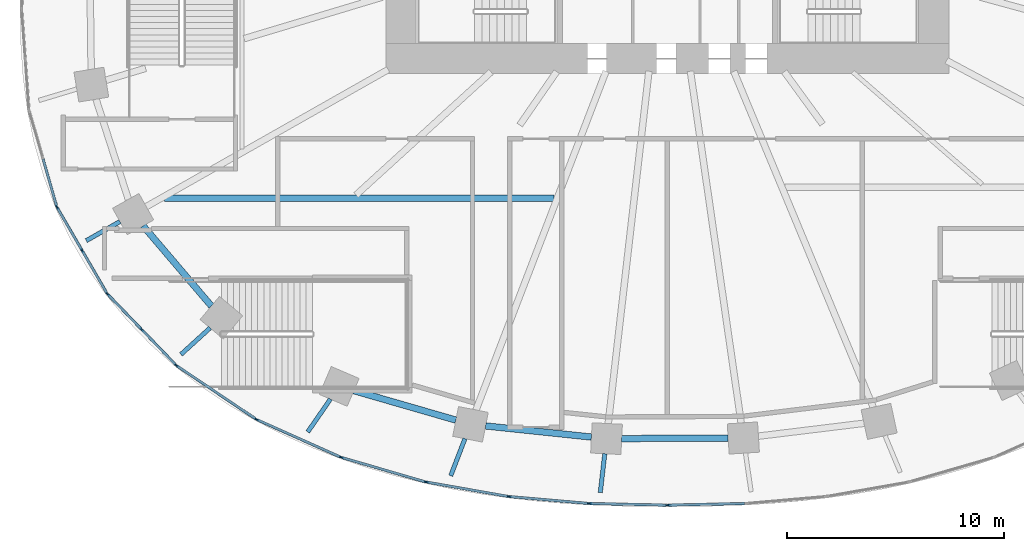
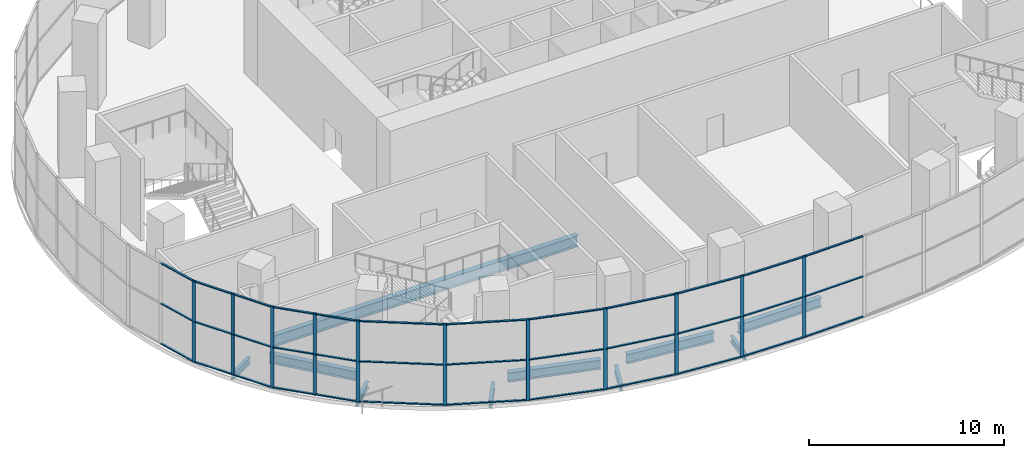
# One storey, part 2 of 20: 47 members, 10 beams, 10 elements without a shape of their own.
"""IFC4 building model written with IfcOpenShell, lengths in metres."""

from ifc_helpers import new_model, si_unit, direction, frame, origin, origin_2d, place, context, subcontext, project, spatial, rectangle, i_section, extrude, material, material_profile, profile_set, type_object, element, aggregate, save


model = new_model("IFC4")

# Units and contexts
model_context = context("Model", 3, precision=1e-05, world=origin(), true_north=direction((0.0, 1.0)))
body_context = subcontext(model_context, "Body", "Model", "MODEL_VIEW")
ifc_project = project(units=[si_unit("LENGTHUNIT", "METRE"), si_unit("AREAUNIT", "SQUARE_METRE"), si_unit("VOLUMEUNIT", "CUBIC_METRE"), si_unit("PLANEANGLEUNIT", "RADIAN"), si_unit("MASSUNIT", "GRAM", prefix="KILO")], contexts=[model_context])

# Site, building, storey
site_placement = place(None, origin())
site = spatial("IfcSite", under=ifc_project, at=site_placement, CompositionType="ELEMENT")
building_placement = place(site_placement, origin())
building = spatial("IfcBuilding", under=site, at=building_placement, Name="Rubra Terraces Tower", CompositionType="ELEMENT")
storey_placement = place(building_placement, frame((0.0, 0.0, 22.800048828125)))
storey = spatial("IfcBuildingStorey", under=building, at=storey_placement, Name="L03", CompositionType="ELEMENT", Elevation=22.800048828125)

# Beams
ifc_material_1 = material(Name="Steel Q355B", Category="steel")
ifc_material_profile_1 = material_profile(ifc_material_1, i_section(OverallWidth=0.199951171875, OverallDepth=0.39990234375, WebThickness=0.008056640625, FlangeThickness=0.012939453125, at=origin_2d()), Name="HN 400x200x8x13")
ifc_profile_set_1 = profile_set([ifc_material_profile_1], Name="Steel Q355B")
beam_type_1 = type_object("IfcBeamType", Name="CANTILEVER BEAM HN 400x200x8x13", PredefinedType="BEAM", material=ifc_profile_set_1)
beam_1_placement = place(storey_placement, frame((-25.284912109375, -9.827880859375, -0.449951171875), z_axis=(-0.86992838688, -0.493178062873, 0.0), x_axis=(0.493178062873, -0.86992838688, 0.0)))
element("IfcBeam", 1, at=beam_1_placement, inside=storey, type_object=beam_type_1, Name="beam-L03-cant-14", PredefinedType="BEAM", context=body_context, shape_type="SweptSolid", body=[
    extrude(i_section(OverallWidth=0.199951171875, OverallDepth=0.39990234375, WebThickness=0.008056640625, FlangeThickness=0.012939453125, at=origin_2d()), origin(), (0.0, 0.0, 1.0), 1.78662109375),
])
beam_2_placement = place(storey_placement, frame((-21.1220703125, -14.741943359375, -0.449951171875), z_axis=(-0.739575224106, -0.673073909677, 0.0), x_axis=(0.673073909677, -0.739575224106, 0.0)))
element("IfcBeam", 2, at=beam_2_placement, inside=storey, type_object=beam_type_1, Name="beam-L03-cant-15", PredefinedType="BEAM", context=body_context, shape_type="SweptSolid", body=[
    extrude(i_section(OverallWidth=0.199951171875, OverallDepth=0.39990234375, WebThickness=0.008056640625, FlangeThickness=0.012939453125, at=origin_2d()), origin(), (0.0, 0.0, 1.0), 1.817138671875),
])
beam_3_placement = place(storey_placement, frame((-15.56298828125, -18.029052734375, -0.449951171875), z_axis=(-0.568402477444, -0.822750644871, 0.0), x_axis=(0.822750644871, -0.568402477444, 0.0)))
element("IfcBeam", 3, at=beam_3_placement, inside=storey, type_object=beam_type_1, Name="beam-L03-cant-16", PredefinedType="BEAM", context=body_context, shape_type="SweptSolid", body=[
    extrude(i_section(OverallWidth=0.199951171875, OverallDepth=0.39990234375, WebThickness=0.008056640625, FlangeThickness=0.012939453125, at=origin_2d()), origin(), (0.0, 0.0, 1.0), 1.840087890625),
])
beam_4_placement = place(storey_placement, frame((-9.34912109375, -19.85498046875, -0.449951171875), z_axis=(-0.358291983639, -0.93360958353, 0.0), x_axis=(0.93360958353, -0.358291983639, 0.0)))
element("IfcBeam", 4, at=beam_4_placement, inside=storey, type_object=beam_type_1, Name="beam-L03-cant-17", PredefinedType="BEAM", context=body_context, shape_type="SweptSolid", body=[
    extrude(i_section(OverallWidth=0.199951171875, OverallDepth=0.39990234375, WebThickness=0.008056640625, FlangeThickness=0.012939453125, at=origin_2d()), origin(), (0.0, 0.0, 1.0), 1.833740234375),
])
beam_5_placement = place(storey_placement, frame((-2.89111328125, -20.551025390625, -0.449951171875), z_axis=(-0.114572764889, -0.99341485873, 0.0), x_axis=(0.99341485873, -0.114572764889, 0.0)))
element("IfcBeam", 5, at=beam_5_placement, inside=storey, type_object=beam_type_1, Name="beam-L03-cant-18", PredefinedType="BEAM", context=body_context, shape_type="SweptSolid", body=[
    extrude(i_section(OverallWidth=0.199951171875, OverallDepth=0.39990234375, WebThickness=0.008056640625, FlangeThickness=0.012939453125, at=origin_2d()), origin(), (0.0, 0.0, 1.0), 1.804931640625),
])

# Curtain wall, members
ifc_material_2 = material(Name="Aluminium and glass", Category="aluminium")
curtain_wall_type = type_object("IfcCurtainWallType", Name="Curtain wall Podium glazing", PredefinedType="NOTDEFINED", material=ifc_material_2)
curtain_wall_1_placement = place(storey_placement, origin())
curtain_wall_1 = element("IfcCurtainWall", 6, at=curtain_wall_1_placement, inside=storey, type_object=curtain_wall_type, Name="L03 glazing bay 23", PredefinedType="NOTDEFINED")
ifc_material_3 = material(Name="Aluminium, anodised dark grey", Category="aluminium")
ifc_material_profile_2 = material_profile(ifc_material_3, rectangle(XDim=0.06005859375, YDim=0.199951171875, at=origin_2d()), Name="AL 60x200")
ifc_profile_set_2 = profile_set([ifc_material_profile_2], Name="Aluminium, anodised dark grey")
member_type_1 = type_object("IfcMemberType", Name="Podium glazing mullion 60 x 200", PredefinedType="MULLION", material=ifc_profile_set_2)
member_1_placement = place(storey_placement, frame((-28.18798828125, -9.17333984375, 0.0), z_axis=(0.0, 0.0, 1.0), x_axis=(0.864813011398, 0.502094070187, 0.0)))
member_1 = element("IfcMember", 7, at=member_1_placement, type_object=member_type_1, Name="CW1 mullion 1", PredefinedType="MULLION", context=body_context, shape_type="SweptSolid", body=[
    extrude(rectangle(XDim=0.06005859375, YDim=0.199951171875, at=origin_2d()), origin(), (0.0, 0.0, 1.0), 5.14990234375),
])
member_2_placement = place(storey_placement, frame((-27.0341796875, -11.160888671875, 0.0), z_axis=(0.0, 0.0, 1.0), x_axis=(0.864813011398, 0.502094070187, 0.0)))
member_2 = element("IfcMember", 8, at=member_2_placement, type_object=member_type_1, Name="CW1 mullion 2", PredefinedType="MULLION", context=body_context, shape_type="SweptSolid", body=[
    extrude(rectangle(XDim=0.06005859375, YDim=0.199951171875, at=origin_2d()), origin(), (0.0, 0.0, 1.0), 5.14990234375),
])

curtain_wall_2_placement = place(storey_placement, origin())
curtain_wall_2 = element("IfcCurtainWall", 9, at=curtain_wall_2_placement, inside=storey, type_object=curtain_wall_type, Name="L03 glazing bay 24", PredefinedType="NOTDEFINED")
member_3_placement = place(storey_placement, frame((-25.855224609375, -13.181396484375, 0.0), z_axis=(0.0, 0.0, 1.0), x_axis=(0.71982488517, 0.69415569917, 0.0)))
member_3 = element("IfcMember", 10, at=member_3_placement, type_object=member_type_1, Name="CW1 mullion 1", PredefinedType="MULLION", context=body_context, shape_type="SweptSolid", body=[
    extrude(rectangle(XDim=0.06005859375, YDim=0.199951171875, at=origin_2d()), origin(), (0.0, 0.0, 1.0), 5.14990234375),
])
member_4_placement = place(storey_placement, frame((-24.280517578125, -14.814453125, 0.0), z_axis=(0.0, 0.0, 1.0), x_axis=(0.71982488517, 0.69415569917, 0.0)))
member_4 = element("IfcMember", 11, at=member_4_placement, type_object=member_type_1, Name="CW1 mullion 2", PredefinedType="MULLION", context=body_context, shape_type="SweptSolid", body=[
    extrude(rectangle(XDim=0.06005859375, YDim=0.199951171875, at=origin_2d()), origin(), (0.0, 0.0, 1.0), 5.14990234375),
])

# Curtain wall, member
curtain_wall_3_placement = place(storey_placement, origin())
curtain_wall_3 = element("IfcCurtainWall", 12, at=curtain_wall_3_placement, inside=storey, type_object=curtain_wall_type, Name="L03 glazing bay 25", PredefinedType="NOTDEFINED")
member_5_placement = place(storey_placement, frame((-22.672119140625, -16.4755859375, 0.0), z_axis=(0.0, 0.0, 1.0), x_axis=(0.55927727939, 0.828980654031, 0.0)))
member_5 = element("IfcMember", 13, at=member_5_placement, type_object=member_type_1, Name="CW1 mullion 1", PredefinedType="MULLION", context=body_context, shape_type="SweptSolid", body=[
    extrude(rectangle(XDim=0.06005859375, YDim=0.199951171875, at=origin_2d()), origin(), (0.0, 0.0, 1.0), 5.14990234375),
])

curtain_wall_4_placement = place(storey_placement, origin())
curtain_wall_4 = element("IfcCurtainWall", 14, at=curtain_wall_4_placement, inside=storey, type_object=curtain_wall_type, Name="L03 glazing bay 26", PredefinedType="NOTDEFINED")
member_6_placement = place(storey_placement, frame((-18.968017578125, -18.969970703125, 0.0), z_axis=(0.0, 0.0, 1.0), x_axis=(0.4089624427, 0.912551215254, 0.0)))
member_6 = element("IfcMember", 15, at=member_6_placement, type_object=member_type_1, Name="CW1 mullion 1", PredefinedType="MULLION", context=body_context, shape_type="SweptSolid", body=[
    extrude(rectangle(XDim=0.06005859375, YDim=0.199951171875, at=origin_2d()), origin(), (0.0, 0.0, 1.0), 5.14990234375),
])

curtain_wall_5_placement = place(storey_placement, origin())
curtain_wall_5 = element("IfcCurtainWall", 16, at=curtain_wall_5_placement, inside=storey, type_object=curtain_wall_type, Name="L03 glazing bay 27", PredefinedType="NOTDEFINED")
member_7_placement = place(storey_placement, frame((-15.05126953125, -20.721435546875, 0.0), z_axis=(0.0, 0.0, 1.0), x_axis=(0.279399200229, 0.96017502931, 0.0)))
member_7 = element("IfcMember", 17, at=member_7_placement, type_object=member_type_1, Name="CW1 mullion 1", PredefinedType="MULLION", context=body_context, shape_type="SweptSolid", body=[
    extrude(rectangle(XDim=0.06005859375, YDim=0.199951171875, at=origin_2d()), origin(), (0.0, 0.0, 1.0), 5.14990234375),
])

curtain_wall_6_placement = place(storey_placement, origin())
curtain_wall_6 = element("IfcCurtainWall", 18, at=curtain_wall_6_placement, inside=storey, type_object=curtain_wall_type, Name="L03 glazing bay 28", PredefinedType="NOTDEFINED")
member_8_placement = place(storey_placement, frame((-11.13037109375, -21.859375, 0.0), z_axis=(0.0, 0.0, 1.0), x_axis=(0.172816985997, 0.984953952909, 0.0)))
member_8 = element("IfcMember", 19, at=member_8_placement, type_object=member_type_1, Name="CW1 mullion 1", PredefinedType="MULLION", context=body_context, shape_type="SweptSolid", body=[
    extrude(rectangle(XDim=0.06005859375, YDim=0.199951171875, at=origin_2d()), origin(), (0.0, 0.0, 1.0), 5.14990234375),
])

curtain_wall_7_placement = place(storey_placement, origin())
curtain_wall_7 = element("IfcCurtainWall", 20, at=curtain_wall_7_placement, inside=storey, type_object=curtain_wall_type, Name="L03 glazing bay 29", PredefinedType="NOTDEFINED")
member_9_placement = place(storey_placement, frame((-7.306640625, -22.52783203125, 0.0), z_axis=(0.0, 0.0, 1.0), x_axis=(0.08639804595, 0.996260697637, 0.0)))
member_9 = element("IfcMember", 21, at=member_9_placement, type_object=member_type_1, Name="CW1 mullion 1", PredefinedType="MULLION", context=body_context, shape_type="SweptSolid", body=[
    extrude(rectangle(XDim=0.06005859375, YDim=0.199951171875, at=origin_2d()), origin(), (0.0, 0.0, 1.0), 5.14990234375),
])

curtain_wall_8_placement = place(storey_placement, origin())
curtain_wall_8 = element("IfcCurtainWall", 22, at=curtain_wall_8_placement, inside=storey, type_object=curtain_wall_type, Name="L03 glazing bay 30", PredefinedType="NOTDEFINED")
member_10_placement = place(storey_placement, frame((-3.598388671875, -22.84765625, 0.0), z_axis=(0.0, 0.0, 1.0), x_axis=(0.021482644428, 0.999769221365, 0.0)))
member_10 = element("IfcMember", 23, at=member_10_placement, type_object=member_type_1, Name="CW1 mullion 1", PredefinedType="MULLION", context=body_context, shape_type="SweptSolid", body=[
    extrude(rectangle(XDim=0.06005859375, YDim=0.199951171875, at=origin_2d()), origin(), (0.0, 0.0, 1.0), 5.14990234375),
])

curtain_wall_9_placement = place(storey_placement, origin())
curtain_wall_9 = element("IfcCurtainWall", 24, at=curtain_wall_9_placement, inside=storey, type_object=curtain_wall_type, Name="L03 glazing bay 31", PredefinedType="NOTDEFINED")
member_11_placement = place(storey_placement, frame((0.0283203125, -22.92431640625, 0.0), z_axis=(0.0, 0.0, 1.0), x_axis=(-0.021482644428, 0.999769221365, 0.0)))
member_11 = element("IfcMember", 25, at=member_11_placement, type_object=member_type_1, Name="CW1 mullion 1", PredefinedType="MULLION", context=body_context, shape_type="SweptSolid", body=[
    extrude(rectangle(XDim=0.06005859375, YDim=0.199951171875, at=origin_2d()), origin(), (0.0, 0.0, 1.0), 5.14990234375),
])

# Curtain wall, members
curtain_wall_10_placement = place(storey_placement, origin())
curtain_wall_10 = element("IfcCurtainWall", 26, at=curtain_wall_10_placement, inside=storey, type_object=curtain_wall_type, Name="L03 glazing bay 22", PredefinedType="NOTDEFINED")
ifc_material_profile_3 = material_profile(ifc_material_3, rectangle(XDim=0.1201171875, YDim=0.06005859375, at=origin_2d()), Name="AL 120x60")
ifc_profile_set_3 = profile_set([ifc_material_profile_3], Name="Aluminium, anodised dark grey")
member_type_2 = type_object("IfcMemberType", Name="Podium glazing transom 120 x 60", PredefinedType="USERDEFINED", material=ifc_profile_set_3)
member_12_placement = place(storey_placement, frame((-28.835205078125, -6.941650390625, 0.06005859375), z_axis=(0.276452561882, -0.961027565177, 0.0), x_axis=(0.961027565177, 0.276452561882, 0.0)))
member_12 = element("IfcMember", 27, at=member_12_placement, type_object=member_type_2, Name="CW1 transom 2.1", ObjectType="TRANSOM", PredefinedType="USERDEFINED", context=body_context, shape_type="SweptSolid", body=[
    extrude(rectangle(XDim=0.1201171875, YDim=0.06005859375, at=origin_2d()), origin(), (0.0, 0.0, 1.0), 2.2529296875),
])
member_13_placement = place(storey_placement, frame((-28.835205078125, -6.941650390625, 2.574951171875), z_axis=(0.276452561882, -0.961027565177, 0.0), x_axis=(0.961027565177, 0.276452561882, 0.0)))
member_13 = element("IfcMember", 28, at=member_13_placement, type_object=member_type_2, Name="CW1 transom 2.2", ObjectType="TRANSOM", PredefinedType="USERDEFINED", context=body_context, shape_type="SweptSolid", body=[
    extrude(rectangle(XDim=0.1201171875, YDim=0.06005859375, at=origin_2d()), origin(), (0.0, 0.0, 1.0), 2.2529296875),
])
member_14_placement = place(storey_placement, frame((-28.835205078125, -6.941650390625, 5.08984375), z_axis=(0.276452561882, -0.961027565177, 0.0), x_axis=(0.961027565177, 0.276452561882, 0.0)))
member_14 = element("IfcMember", 29, at=member_14_placement, type_object=member_type_2, Name="CW1 transom 2.3", ObjectType="TRANSOM", PredefinedType="USERDEFINED", context=body_context, shape_type="SweptSolid", body=[
    extrude(rectangle(XDim=0.1201171875, YDim=0.06005859375, at=origin_2d()), origin(), (0.0, 0.0, 1.0), 2.2529296875),
])
aggregate(curtain_wall_10, [member_12, member_13, member_14])

# Member
member_15_placement = place(storey_placement, frame((-28.173095703125, -9.19921875, 0.06005859375), z_axis=(0.5021881448, -0.864758386616, 0.0), x_axis=(0.864758386616, 0.5021881448, 0.0)))
member_15 = element("IfcMember", 30, at=member_15_placement, type_object=member_type_2, Name="CW1 transom 1.1", ObjectType="TRANSOM", PredefinedType="USERDEFINED", context=body_context, shape_type="SweptSolid", body=[
    extrude(rectangle(XDim=0.1201171875, YDim=0.06005859375, at=origin_2d()), origin(), (0.0, 0.0, 1.0), 2.23828125),
])

member_16_placement = place(storey_placement, frame((-28.173095703125, -9.19921875, 2.574951171875), z_axis=(0.5021881448, -0.864758386616, 0.0), x_axis=(0.864758386616, 0.5021881448, 0.0)))
member_16 = element("IfcMember", 31, at=member_16_placement, type_object=member_type_2, Name="CW1 transom 1.2", ObjectType="TRANSOM", PredefinedType="USERDEFINED", context=body_context, shape_type="SweptSolid", body=[
    extrude(rectangle(XDim=0.1201171875, YDim=0.06005859375, at=origin_2d()), origin(), (0.0, 0.0, 1.0), 2.23828125),
])

member_17_placement = place(storey_placement, frame((-28.173095703125, -9.19921875, 5.08984375), z_axis=(0.5021881448, -0.864758386616, 0.0), x_axis=(0.864758386616, 0.5021881448, 0.0)))
member_17 = element("IfcMember", 32, at=member_17_placement, type_object=member_type_2, Name="CW1 transom 1.3", ObjectType="TRANSOM", PredefinedType="USERDEFINED", context=body_context, shape_type="SweptSolid", body=[
    extrude(rectangle(XDim=0.1201171875, YDim=0.06005859375, at=origin_2d()), origin(), (0.0, 0.0, 1.0), 2.23828125),
])

member_18_placement = place(storey_placement, frame((-27.01904296875, -11.186767578125, 0.06005859375), z_axis=(0.502106569931, -0.864805754162, 0.0), x_axis=(0.864805754162, 0.502106569931, 0.0)))
member_18 = element("IfcMember", 33, at=member_18_placement, type_object=member_type_2, Name="CW1 transom 2.1", ObjectType="TRANSOM", PredefinedType="USERDEFINED", context=body_context, shape_type="SweptSolid", body=[
    extrude(rectangle(XDim=0.1201171875, YDim=0.06005859375, at=origin_2d()), origin(), (0.0, 0.0, 1.0), 2.238037109375),
])

member_19_placement = place(storey_placement, frame((-27.01904296875, -11.186767578125, 2.574951171875), z_axis=(0.502106569931, -0.864805754162, 0.0), x_axis=(0.864805754162, 0.502106569931, 0.0)))
member_19 = element("IfcMember", 34, at=member_19_placement, type_object=member_type_2, Name="CW1 transom 2.2", ObjectType="TRANSOM", PredefinedType="USERDEFINED", context=body_context, shape_type="SweptSolid", body=[
    extrude(rectangle(XDim=0.1201171875, YDim=0.06005859375, at=origin_2d()), origin(), (0.0, 0.0, 1.0), 2.238037109375),
])

member_20_placement = place(storey_placement, frame((-27.01904296875, -11.186767578125, 5.08984375), z_axis=(0.502106569931, -0.864805754162, 0.0), x_axis=(0.864805754162, 0.502106569931, 0.0)))
member_20 = element("IfcMember", 35, at=member_20_placement, type_object=member_type_2, Name="CW1 transom 2.3", ObjectType="TRANSOM", PredefinedType="USERDEFINED", context=body_context, shape_type="SweptSolid", body=[
    extrude(rectangle(XDim=0.1201171875, YDim=0.06005859375, at=origin_2d()), origin(), (0.0, 0.0, 1.0), 2.238037109375),
])

aggregate(curtain_wall_1, [member_1, member_2, member_15, member_16, member_17, member_18, member_19, member_20])

member_21_placement = place(storey_placement, frame((-25.83447265625, -13.203125, 0.06005859375), z_axis=(0.694223533913, -0.719759463266, 0.0), x_axis=(0.719759463266, 0.694223533913, 0.0)))
member_21 = element("IfcMember", 36, at=member_21_placement, type_object=member_type_2, Name="CW1 transom 1.1", ObjectType="TRANSOM", PredefinedType="USERDEFINED", context=body_context, shape_type="SweptSolid", body=[
    extrude(rectangle(XDim=0.1201171875, YDim=0.06005859375, at=origin_2d()), origin(), (0.0, 0.0, 1.0), 2.20849609375),
])

member_22_placement = place(storey_placement, frame((-25.83447265625, -13.203125, 2.574951171875), z_axis=(0.694223533913, -0.719759463266, 0.0), x_axis=(0.719759463266, 0.694223533913, 0.0)))
member_22 = element("IfcMember", 37, at=member_22_placement, type_object=member_type_2, Name="CW1 transom 1.2", ObjectType="TRANSOM", PredefinedType="USERDEFINED", context=body_context, shape_type="SweptSolid", body=[
    extrude(rectangle(XDim=0.1201171875, YDim=0.06005859375, at=origin_2d()), origin(), (0.0, 0.0, 1.0), 2.20849609375),
])

member_23_placement = place(storey_placement, frame((-25.83447265625, -13.203125, 5.08984375), z_axis=(0.694223533913, -0.719759463266, 0.0), x_axis=(0.719759463266, 0.694223533913, 0.0)))
member_23 = element("IfcMember", 38, at=member_23_placement, type_object=member_type_2, Name="CW1 transom 1.3", ObjectType="TRANSOM", PredefinedType="USERDEFINED", context=body_context, shape_type="SweptSolid", body=[
    extrude(rectangle(XDim=0.1201171875, YDim=0.06005859375, at=origin_2d()), origin(), (0.0, 0.0, 1.0), 2.20849609375),
])

member_24_placement = place(storey_placement, frame((-24.259765625, -14.8359375, 0.06005859375), z_axis=(0.694168299732, -0.719812733735, 0.0), x_axis=(0.719812733735, 0.694168299732, 0.0)))
member_24 = element("IfcMember", 39, at=member_24_placement, type_object=member_type_2, Name="CW1 transom 2.1", ObjectType="TRANSOM", PredefinedType="USERDEFINED", context=body_context, shape_type="SweptSolid", body=[
    extrude(rectangle(XDim=0.1201171875, YDim=0.06005859375, at=origin_2d()), origin(), (0.0, 0.0, 1.0), 2.208740234375),
])

member_25_placement = place(storey_placement, frame((-24.259765625, -14.8359375, 2.574951171875), z_axis=(0.694168299732, -0.719812733735, 0.0), x_axis=(0.719812733735, 0.694168299732, 0.0)))
member_25 = element("IfcMember", 40, at=member_25_placement, type_object=member_type_2, Name="CW1 transom 2.2", ObjectType="TRANSOM", PredefinedType="USERDEFINED", context=body_context, shape_type="SweptSolid", body=[
    extrude(rectangle(XDim=0.1201171875, YDim=0.06005859375, at=origin_2d()), origin(), (0.0, 0.0, 1.0), 2.208740234375),
])

member_26_placement = place(storey_placement, frame((-24.259765625, -14.8359375, 5.08984375), z_axis=(0.694168299732, -0.719812733735, 0.0), x_axis=(0.719812733735, 0.694168299732, 0.0)))
member_26 = element("IfcMember", 41, at=member_26_placement, type_object=member_type_2, Name="CW1 transom 2.3", ObjectType="TRANSOM", PredefinedType="USERDEFINED", context=body_context, shape_type="SweptSolid", body=[
    extrude(rectangle(XDim=0.1201171875, YDim=0.06005859375, at=origin_2d()), origin(), (0.0, 0.0, 1.0), 2.208740234375),
])

aggregate(curtain_wall_2, [member_3, member_4, member_21, member_22, member_23, member_24, member_25, member_26])

member_27_placement = place(storey_placement, frame((-22.6474609375, -16.492431640625, 0.06005859375), z_axis=(0.828996039897, -0.559254473236, 0.0), x_axis=(0.559254473236, 0.828996039897, 0.0)))
member_27 = element("IfcMember", 42, at=member_27_placement, type_object=member_type_2, Name="CW1 transom 1.1", ObjectType="TRANSOM", PredefinedType="USERDEFINED", context=body_context, shape_type="SweptSolid", body=[
    extrude(rectangle(XDim=0.1201171875, YDim=0.06005859375, at=origin_2d()), origin(), (0.0, 0.0, 1.0), 4.35888671875),
])

member_28_placement = place(storey_placement, frame((-22.6474609375, -16.492431640625, 2.574951171875), z_axis=(0.828996039897, -0.559254473236, 0.0), x_axis=(0.559254473236, 0.828996039897, 0.0)))
member_28 = element("IfcMember", 43, at=member_28_placement, type_object=member_type_2, Name="CW1 transom 1.2", ObjectType="TRANSOM", PredefinedType="USERDEFINED", context=body_context, shape_type="SweptSolid", body=[
    extrude(rectangle(XDim=0.1201171875, YDim=0.06005859375, at=origin_2d()), origin(), (0.0, 0.0, 1.0), 4.35888671875),
])

member_29_placement = place(storey_placement, frame((-22.6474609375, -16.492431640625, 5.08984375), z_axis=(0.828996039897, -0.559254473236, 0.0), x_axis=(0.559254473236, 0.828996039897, 0.0)))
member_29 = element("IfcMember", 44, at=member_29_placement, type_object=member_type_2, Name="CW1 transom 1.3", ObjectType="TRANSOM", PredefinedType="USERDEFINED", context=body_context, shape_type="SweptSolid", body=[
    extrude(rectangle(XDim=0.1201171875, YDim=0.06005859375, at=origin_2d()), origin(), (0.0, 0.0, 1.0), 4.35888671875),
])

aggregate(curtain_wall_3, [member_5, member_27, member_28, member_29])

member_30_placement = place(storey_placement, frame((-18.9404296875, -18.982177734375, 0.06005859375), z_axis=(0.912545396627, -0.408975426029, 0.0), x_axis=(0.408975426029, 0.912545396627, 0.0)))
member_30 = element("IfcMember", 45, at=member_30_placement, type_object=member_type_2, Name="CW1 transom 1.1", ObjectType="TRANSOM", PredefinedType="USERDEFINED", context=body_context, shape_type="SweptSolid", body=[
    extrude(rectangle(XDim=0.1201171875, YDim=0.06005859375, at=origin_2d()), origin(), (0.0, 0.0, 1.0), 4.18115234375),
])

member_31_placement = place(storey_placement, frame((-18.9404296875, -18.982177734375, 2.574951171875), z_axis=(0.912545396627, -0.408975426029, 0.0), x_axis=(0.408975426029, 0.912545396627, 0.0)))
member_31 = element("IfcMember", 46, at=member_31_placement, type_object=member_type_2, Name="CW1 transom 1.2", ObjectType="TRANSOM", PredefinedType="USERDEFINED", context=body_context, shape_type="SweptSolid", body=[
    extrude(rectangle(XDim=0.1201171875, YDim=0.06005859375, at=origin_2d()), origin(), (0.0, 0.0, 1.0), 4.18115234375),
])

member_32_placement = place(storey_placement, frame((-18.9404296875, -18.982177734375, 5.08984375), z_axis=(0.912545396627, -0.408975426029, 0.0), x_axis=(0.408975426029, 0.912545396627, 0.0)))
member_32 = element("IfcMember", 47, at=member_32_placement, type_object=member_type_2, Name="CW1 transom 1.3", ObjectType="TRANSOM", PredefinedType="USERDEFINED", context=body_context, shape_type="SweptSolid", body=[
    extrude(rectangle(XDim=0.1201171875, YDim=0.06005859375, at=origin_2d()), origin(), (0.0, 0.0, 1.0), 4.18115234375),
])

aggregate(curtain_wall_4, [member_6, member_30, member_31, member_32])

member_33_placement = place(storey_placement, frame((-15.0224609375, -20.729736328125, 0.06005859375), z_axis=(0.960164409194, -0.279435694422, 0.0), x_axis=(0.279435694422, 0.960164409194, 0.0)))
member_33 = element("IfcMember", 48, at=member_33_placement, type_object=member_type_2, Name="CW1 transom 1.1", ObjectType="TRANSOM", PredefinedType="USERDEFINED", context=body_context, shape_type="SweptSolid", body=[
    extrude(rectangle(XDim=0.1201171875, YDim=0.06005859375, at=origin_2d()), origin(), (0.0, 0.0, 1.0), 3.970947265625),
])

member_34_placement = place(storey_placement, frame((-15.0224609375, -20.729736328125, 2.574951171875), z_axis=(0.960164409194, -0.279435694422, 0.0), x_axis=(0.279435694422, 0.960164409194, 0.0)))
member_34 = element("IfcMember", 49, at=member_34_placement, type_object=member_type_2, Name="CW1 transom 1.2", ObjectType="TRANSOM", PredefinedType="USERDEFINED", context=body_context, shape_type="SweptSolid", body=[
    extrude(rectangle(XDim=0.1201171875, YDim=0.06005859375, at=origin_2d()), origin(), (0.0, 0.0, 1.0), 3.970947265625),
])

member_35_placement = place(storey_placement, frame((-15.0224609375, -20.729736328125, 5.08984375), z_axis=(0.960164409194, -0.279435694422, 0.0), x_axis=(0.279435694422, 0.960164409194, 0.0)))
member_35 = element("IfcMember", 50, at=member_35_placement, type_object=member_type_2, Name="CW1 transom 1.3", ObjectType="TRANSOM", PredefinedType="USERDEFINED", context=body_context, shape_type="SweptSolid", body=[
    extrude(rectangle(XDim=0.1201171875, YDim=0.06005859375, at=origin_2d()), origin(), (0.0, 0.0, 1.0), 3.970947265625),
])

aggregate(curtain_wall_5, [member_7, member_33, member_34, member_35])

member_36_placement = place(storey_placement, frame((-11.100830078125, -21.864501953125, 0.06005859375), z_axis=(0.984959152546, -0.172787348539, 0.0), x_axis=(0.172787348539, 0.984959152546, 0.0)))
member_36 = element("IfcMember", 51, at=member_36_placement, type_object=member_type_2, Name="CW1 transom 1.1", ObjectType="TRANSOM", PredefinedType="USERDEFINED", context=body_context, shape_type="SweptSolid", body=[
    extrude(rectangle(XDim=0.1201171875, YDim=0.06005859375, at=origin_2d()), origin(), (0.0, 0.0, 1.0), 3.768310546875),
])

member_37_placement = place(storey_placement, frame((-11.100830078125, -21.864501953125, 2.574951171875), z_axis=(0.984959152546, -0.172787348539, 0.0), x_axis=(0.172787348539, 0.984959152546, 0.0)))
member_37 = element("IfcMember", 52, at=member_37_placement, type_object=member_type_2, Name="CW1 transom 1.2", ObjectType="TRANSOM", PredefinedType="USERDEFINED", context=body_context, shape_type="SweptSolid", body=[
    extrude(rectangle(XDim=0.1201171875, YDim=0.06005859375, at=origin_2d()), origin(), (0.0, 0.0, 1.0), 3.768310546875),
])

member_38_placement = place(storey_placement, frame((-11.100830078125, -21.864501953125, 5.08984375), z_axis=(0.984959152546, -0.172787348539, 0.0), x_axis=(0.172787348539, 0.984959152546, 0.0)))
member_38 = element("IfcMember", 53, at=member_38_placement, type_object=member_type_2, Name="CW1 transom 1.3", ObjectType="TRANSOM", PredefinedType="USERDEFINED", context=body_context, shape_type="SweptSolid", body=[
    extrude(rectangle(XDim=0.1201171875, YDim=0.06005859375, at=origin_2d()), origin(), (0.0, 0.0, 1.0), 3.768310546875),
])

aggregate(curtain_wall_6, [member_8, member_36, member_37, member_38])

member_39_placement = place(storey_placement, frame((-7.276611328125, -22.530517578125, 0.06005859375), z_axis=(0.996262906738, -0.086372568895, 0.0), x_axis=(0.086372568895, 0.996262906738, 0.0)))
member_39 = element("IfcMember", 54, at=member_39_placement, type_object=member_type_2, Name="CW1 transom 1.1", ObjectType="TRANSOM", PredefinedType="USERDEFINED", context=body_context, shape_type="SweptSolid", body=[
    extrude(rectangle(XDim=0.1201171875, YDim=0.06005859375, at=origin_2d()), origin(), (0.0, 0.0, 1.0), 3.606689453125),
])

member_40_placement = place(storey_placement, frame((-7.276611328125, -22.530517578125, 2.574951171875), z_axis=(0.996262906738, -0.086372568895, 0.0), x_axis=(0.086372568895, 0.996262906738, 0.0)))
member_40 = element("IfcMember", 55, at=member_40_placement, type_object=member_type_2, Name="CW1 transom 1.2", ObjectType="TRANSOM", PredefinedType="USERDEFINED", context=body_context, shape_type="SweptSolid", body=[
    extrude(rectangle(XDim=0.1201171875, YDim=0.06005859375, at=origin_2d()), origin(), (0.0, 0.0, 1.0), 3.606689453125),
])

member_41_placement = place(storey_placement, frame((-7.276611328125, -22.530517578125, 5.08984375), z_axis=(0.996262906738, -0.086372568895, 0.0), x_axis=(0.086372568895, 0.996262906738, 0.0)))
member_41 = element("IfcMember", 56, at=member_41_placement, type_object=member_type_2, Name="CW1 transom 1.3", ObjectType="TRANSOM", PredefinedType="USERDEFINED", context=body_context, shape_type="SweptSolid", body=[
    extrude(rectangle(XDim=0.1201171875, YDim=0.06005859375, at=origin_2d()), origin(), (0.0, 0.0, 1.0), 3.606689453125),
])

aggregate(curtain_wall_7, [member_9, member_39, member_40, member_41])

member_42_placement = place(storey_placement, frame((-3.568359375, -22.848388671875, 0.06005859375), z_axis=(0.99976911273, -0.021487699509, 0.0), x_axis=(0.021487699509, 0.99976911273, 0.0)))
member_42 = element("IfcMember", 57, at=member_42_placement, type_object=member_type_2, Name="CW1 transom 1.1", ObjectType="TRANSOM", PredefinedType="USERDEFINED", context=body_context, shape_type="SweptSolid", body=[
    extrude(rectangle(XDim=0.1201171875, YDim=0.06005859375, at=origin_2d()), origin(), (0.0, 0.0, 1.0), 3.5107421875),
])

member_43_placement = place(storey_placement, frame((-3.568359375, -22.848388671875, 2.574951171875), z_axis=(0.99976911273, -0.021487699509, 0.0), x_axis=(0.021487699509, 0.99976911273, 0.0)))
member_43 = element("IfcMember", 58, at=member_43_placement, type_object=member_type_2, Name="CW1 transom 1.2", ObjectType="TRANSOM", PredefinedType="USERDEFINED", context=body_context, shape_type="SweptSolid", body=[
    extrude(rectangle(XDim=0.1201171875, YDim=0.06005859375, at=origin_2d()), origin(), (0.0, 0.0, 1.0), 3.5107421875),
])

member_44_placement = place(storey_placement, frame((-3.568359375, -22.848388671875, 5.08984375), z_axis=(0.99976911273, -0.021487699509, 0.0), x_axis=(0.021487699509, 0.99976911273, 0.0)))
member_44 = element("IfcMember", 59, at=member_44_placement, type_object=member_type_2, Name="CW1 transom 1.3", ObjectType="TRANSOM", PredefinedType="USERDEFINED", context=body_context, shape_type="SweptSolid", body=[
    extrude(rectangle(XDim=0.1201171875, YDim=0.06005859375, at=origin_2d()), origin(), (0.0, 0.0, 1.0), 3.5107421875),
])

aggregate(curtain_wall_8, [member_10, member_42, member_43, member_44])

member_45_placement = place(storey_placement, frame((0.058349609375, -22.923828125, 0.06005859375), z_axis=(0.99976911273, 0.021487699509, 0.0), x_axis=(-0.021487699509, 0.99976911273, 0.0)))
member_45 = element("IfcMember", 60, at=member_45_placement, type_object=member_type_2, Name="CW1 transom 1.1", ObjectType="TRANSOM", PredefinedType="USERDEFINED", context=body_context, shape_type="SweptSolid", body=[
    extrude(rectangle(XDim=0.1201171875, YDim=0.06005859375, at=origin_2d()), origin(), (0.0, 0.0, 1.0), 3.5107421875),
])

member_46_placement = place(storey_placement, frame((0.058349609375, -22.923828125, 2.574951171875), z_axis=(0.99976911273, 0.021487699509, 0.0), x_axis=(-0.021487699509, 0.99976911273, 0.0)))
member_46 = element("IfcMember", 61, at=member_46_placement, type_object=member_type_2, Name="CW1 transom 1.2", ObjectType="TRANSOM", PredefinedType="USERDEFINED", context=body_context, shape_type="SweptSolid", body=[
    extrude(rectangle(XDim=0.1201171875, YDim=0.06005859375, at=origin_2d()), origin(), (0.0, 0.0, 1.0), 3.5107421875),
])

member_47_placement = place(storey_placement, frame((0.058349609375, -22.923828125, 5.08984375), z_axis=(0.99976911273, 0.021487699509, 0.0), x_axis=(-0.021487699509, 0.99976911273, 0.0)))
member_47 = element("IfcMember", 62, at=member_47_placement, type_object=member_type_2, Name="CW1 transom 1.3", ObjectType="TRANSOM", PredefinedType="USERDEFINED", context=body_context, shape_type="SweptSolid", body=[
    extrude(rectangle(XDim=0.1201171875, YDim=0.06005859375, at=origin_2d()), origin(), (0.0, 0.0, 1.0), 3.5107421875),
])

aggregate(curtain_wall_9, [member_11, member_45, member_46, member_47])

# Beams
ifc_material_profile_4 = material_profile(ifc_material_1, i_section(OverallWidth=0.300048828125, OverallDepth=0.587890625, WebThickness=0.011962890625, FlangeThickness=0.02001953125, at=origin_2d()), Name="HM 588x300x12x20")
ifc_profile_set_4 = profile_set([ifc_material_profile_4], Name="Steel Q355B")
beam_type_2 = type_object("IfcBeamType", Name="SPANDREL BEAM HM 588x300x12x20", PredefinedType="SPANDREL", material=ifc_profile_set_4)
beam_6_placement = place(storey_placement, frame((-24.212890625, -10.02587890625, -0.5439453125), z_axis=(0.648447050824, -0.761259760054, 0.0), x_axis=(0.761259760054, 0.648447050824, 0.0)))
element("IfcBeam", 63, at=beam_6_placement, inside=storey, type_object=beam_type_2, Name="beam-L03-spandrel-14", PredefinedType="SPANDREL", context=body_context, shape_type="SweptSolid", body=[
    extrude(i_section(OverallWidth=0.300048828125, OverallDepth=0.587890625, WebThickness=0.011962890625, FlangeThickness=0.02001953125, at=origin_2d()), origin(), (0.0, 0.0, 1.0), 4.860595703125),
])
beam_7_placement = place(storey_placement, frame((-14.47900390625, -17.636962890625, -0.5439453125), z_axis=(0.960743980202, -0.277436487337, 0.0), x_axis=(0.277436487337, 0.960743980202, 0.0)))
element("IfcBeam", 64, at=beam_7_placement, inside=storey, type_object=beam_type_2, Name="beam-L03-spandrel-16", PredefinedType="SPANDREL", context=body_context, shape_type="SweptSolid", body=[
    extrude(i_section(OverallWidth=0.300048828125, OverallDepth=0.587890625, WebThickness=0.011962890625, FlangeThickness=0.02001953125, at=origin_2d()), origin(), (0.0, 0.0, 1.0), 4.90234375),
])
beam_8_placement = place(storey_placement, frame((-8.39501953125, -19.26611328125, -0.5439453125), z_axis=(0.994495375694, -0.104780473964, 0.0), x_axis=(0.104780473964, 0.994495375694, 0.0)))
element("IfcBeam", 65, at=beam_8_placement, inside=storey, type_object=beam_type_2, Name="beam-L03-spandrel-17", PredefinedType="SPANDREL", context=body_context, shape_type="SweptSolid", body=[
    extrude(i_section(OverallWidth=0.300048828125, OverallDepth=0.587890625, WebThickness=0.011962890625, FlangeThickness=0.02001953125, at=origin_2d()), origin(), (0.0, 0.0, 1.0), 4.9140625),
])
beam_9_placement = place(storey_placement, frame((-2.110107421875, -19.85107421875, -0.5439453125), z_axis=(0.999987924698, 0.004914311469, 0.0), x_axis=(-0.004914311469, 0.999987924698, 0.0)))
element("IfcBeam", 66, at=beam_9_placement, inside=storey, type_object=beam_type_2, Name="beam-L03-spandrel-18", PredefinedType="SPANDREL", context=body_context, shape_type="SweptSolid", body=[
    extrude(i_section(OverallWidth=0.300048828125, OverallDepth=0.587890625, WebThickness=0.011962890625, FlangeThickness=0.02001953125, at=origin_2d()), origin(), (0.0, 0.0, 1.0), 4.918212890625),
])
ifc_material_profile_5 = material_profile(ifc_material_1, i_section(OverallWidth=0.300048828125, OverallDepth=0.699951171875, WebThickness=0.012939453125, FlangeThickness=0.02392578125, at=origin_2d()), Name="HN 700x300x13x24")
ifc_profile_set_5 = profile_set([ifc_material_profile_5], Name="Steel Q355B")
beam_type_3 = type_object("IfcBeamType", Name="TRIMMER BEAM HN 700x300x13x24", PredefinedType="BEAM", material=ifc_profile_set_5)
beam_10_placement = place(storey_placement, frame((-23.23193359375, -8.75, -0.60009765625), z_axis=(1.0, 0.0, 0.0), x_axis=(0.0, 1.0, 0.0)))
element("IfcBeam", 67, at=beam_10_placement, inside=storey, type_object=beam_type_3, Name="beam-L03-header-3-yhi", PredefinedType="BEAM", context=body_context, shape_type="SweptSolid", body=[
    extrude(i_section(OverallWidth=0.300048828125, OverallDepth=0.699951171875, WebThickness=0.012939453125, FlangeThickness=0.02392578125, at=origin_2d()), origin(), (0.0, 0.0, 1.0), 17.995849609375),
])

save(model, "model.ifc")
